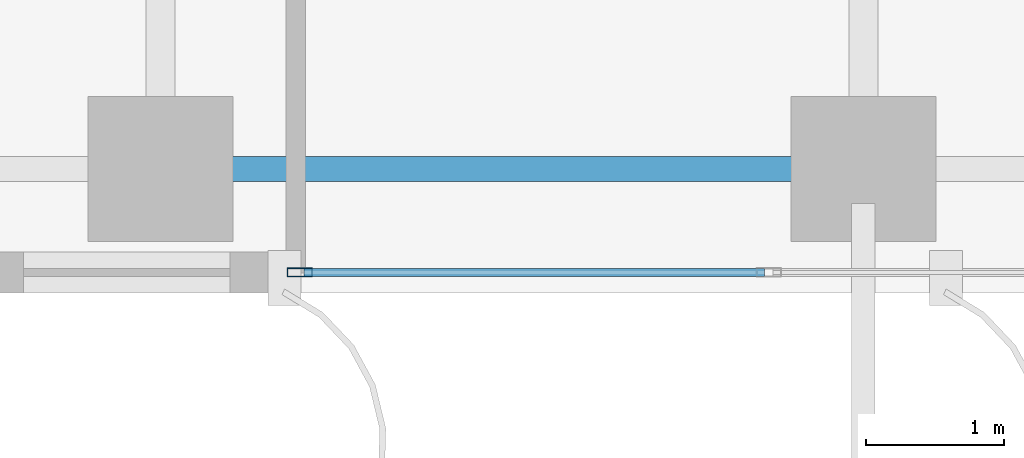
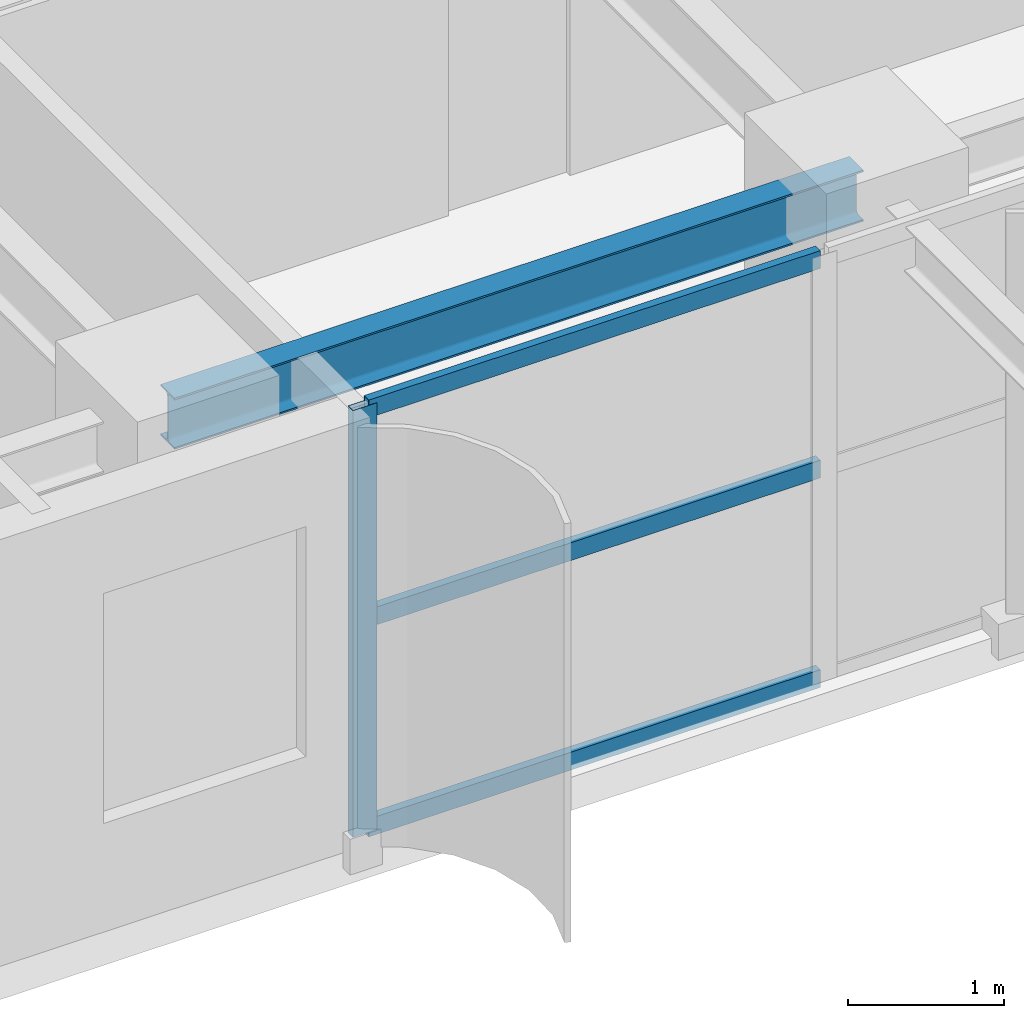
# One storey, part 2 of 27: 4 members, 1 beam, 1 element without a shape of its own.
"""IFC4 building model written with IfcOpenShell, lengths in metres."""

import ifcopenshell
import ifcopenshell.guid

model = None  # the IFC model being written
_history = None  # IfcOwnerHistory: only IFC2X3 demands one
_inside = {}  # id of a spatial element -> (the spatial element, [elements in it])
_under = {}  # id of a project, library or spatial element -> (it, [spatial elements below it])
_declared = {}  # id of a project -> (the project, [libraries it declares])
_typed = {}  # id of a type object -> (the type object, [elements of that type])
_made_of = {}  # id of a material, layer set ... -> (it, [elements and type objects made of it])


def new_model(schema):
    """Start an empty IFC model of exactly this schema.

    Asked for "IFC4X3", IfcOpenShell would pick the latest addendum, in which some entities
    have other attributes; the version numbers below select the first issue.
    IFC2X3 requires an IfcOwnerHistory on every rooted entity: one is made here for all.
    """
    global model, _history
    if schema == "IFC4X3":
        model = ifcopenshell.file(schema_version=(4, 3, 0, 0))
    else:
        model = ifcopenshell.file(schema=schema)
    _inside.clear()
    _under.clear()
    _declared.clear()
    _typed.clear()
    _made_of.clear()
    _history = None
    if model.schema == "IFC2X3":
        org = make("IfcOrganization", Name="unknown")
        user = make(
            "IfcPersonAndOrganization",
            ThePerson=make("IfcPerson", FamilyName="unknown"),
            TheOrganization=org,
        )
        app = make(
            "IfcApplication",
            ApplicationDeveloper=org,
            Version="unknown",
            ApplicationFullName="unknown",
            ApplicationIdentifier="unknown",
        )
        _history = make(
            "IfcOwnerHistory",
            OwningUser=user,
            OwningApplication=app,
            ChangeAction="ADDED",
            CreationDate=0,
        )
    return model


def make(cls, **values):
    """One entity of the class cls with the attributes given. An attribute that is None is left unset."""
    return model.create_entity(
        cls, **{name: value for name, value in values.items() if value is not None}
    )


def rooted(cls, **values):
    """An entity with a GlobalId (a new one), such as an element, a storey or a relation."""
    return make(cls, GlobalId=ifcopenshell.guid.new(), OwnerHistory=_history, **values)


def si_unit(unit_type, name, prefix=None):
    """IfcSIUnit, for example si_unit("LENGTHUNIT", "METRE", prefix="MILLI")."""
    return make("IfcSIUnit", UnitType=unit_type, Prefix=prefix, Name=name)


def assignment(units):
    """IfcUnitAssignment: the units of a project."""
    return None if units is None else make("IfcUnitAssignment", Units=units)


def point(xyz):
    """IfcCartesianPoint."""
    return None if xyz is None else make("IfcCartesianPoint", Coordinates=xyz)


def direction(xyz):
    """IfcDirection."""
    return None if xyz is None else make("IfcDirection", DirectionRatios=xyz)


def frame(location, z_axis=None, x_axis=None):
    """IfcAxis2Placement3D, a coordinate frame: its origin and axes. An axis left out is left unset."""
    return make(
        "IfcAxis2Placement3D",
        Location=point(location),
        Axis=direction(z_axis),
        RefDirection=direction(x_axis),
    )


def frame_2d(location, x_axis=None):
    """IfcAxis2Placement2D, a coordinate frame in the plane: its origin and x axis."""
    return make(
        "IfcAxis2Placement2D", Location=point(location), RefDirection=direction(x_axis)
    )


def origin():
    """The frame at (0, 0, 0) with its axes left unset."""
    return frame((0.0, 0.0, 0.0))


def origin_2d():
    """The frame at (0, 0) in the plane with its x axis left unset."""
    return frame_2d((0.0, 0.0))


def place(relative_to, where):
    """IfcLocalPlacement: puts the frame where relative to a parent placement (None: the world)."""
    return make(
        "IfcLocalPlacement", PlacementRelTo=relative_to, RelativePlacement=where
    )


def context(
    kind, dimensions, precision=None, world=None, true_north=None, identifier=None
):
    """IfcGeometricRepresentationContext, for example the 3D "Model" context."""
    return make(
        "IfcGeometricRepresentationContext",
        ContextIdentifier=identifier,
        ContextType=kind,
        CoordinateSpaceDimension=dimensions,
        Precision=precision,
        WorldCoordinateSystem=world,
        TrueNorth=true_north,
    )


def subcontext(parent, identifier, kind, view, scale=None):
    """IfcGeometricRepresentationSubContext, for example "Body" below "Model"."""
    return make(
        "IfcGeometricRepresentationSubContext",
        ContextIdentifier=identifier,
        ContextType=kind,
        ParentContext=parent,
        TargetScale=scale,
        TargetView=view,
    )


def project(units=None, contexts=None):
    """IfcProject with its units and contexts."""
    return rooted(
        "IfcProject",
        Name="project",
        RepresentationContexts=contexts,
        UnitsInContext=assignment(units),
    )


def spatial(cls, under=None, at=None, **own):
    """A site, building, storey or space (cls), placed at a placement, below another one or the project."""
    s = rooted(cls, ObjectPlacement=at, **own)
    if under is not None:
        _under.setdefault(under.id(), (under, []))[1].append(s)
    return s


def profile(cls, at=None, kind="AREA", **sizes):
    """A parametric profile (cls). Its sizes go by their IFC names, for example OverallWidth=200.0."""
    return make(cls, ProfileType=kind, Position=at, **sizes)


def hollow_rectangle(**sizes):
    """IfcRectangleHollowProfileDef."""
    return profile("IfcRectangleHollowProfileDef", **sizes)


def i_section(**sizes):
    """IfcIShapeProfileDef."""
    return profile("IfcIShapeProfileDef", **sizes)


def extrude(swept, where, along, depth):
    """IfcExtrudedAreaSolid: the profile swept, set in the frame where, extruded along a direction by depth."""
    return make(
        "IfcExtrudedAreaSolid",
        SweptArea=swept,
        Position=where,
        ExtrudedDirection=direction(along),
        Depth=depth,
    )


def shape(context_of_items, identifier, shape_type, items):
    """IfcShapeRepresentation: the items that make up one representation, for example the "Body"."""
    return make(
        "IfcShapeRepresentation",
        ContextOfItems=context_of_items,
        RepresentationIdentifier=identifier,
        RepresentationType=shape_type,
        Items=items,
    )


def source(mapping_origin, context_of_items, identifier, shape_type, items):
    """IfcRepresentationMap: a shape defined once, which mapped items show again and again."""
    return make(
        "IfcRepresentationMap",
        MappingOrigin=mapping_origin,
        MappedRepresentation=shape(context_of_items, identifier, shape_type, items),
    )


def transform(
    local_origin,
    x_axis=None,
    y_axis=None,
    z_axis=None,
    scale=None,
    scale2=None,
    scale3=None,
    uniform=True,
):
    """IfcCartesianTransformationOperator3D, or its non-uniform kind. x_axis, y_axis, z_axis: its Axis1, 2, 3."""
    if uniform:
        return make(
            "IfcCartesianTransformationOperator3D",
            Axis1=direction(x_axis),
            Axis2=direction(y_axis),
            LocalOrigin=point(local_origin),
            Scale=scale,
            Axis3=direction(z_axis),
        )
    return make(
        "IfcCartesianTransformationOperator3DnonUniform",
        Axis1=direction(x_axis),
        Axis2=direction(y_axis),
        LocalOrigin=point(local_origin),
        Scale=scale,
        Axis3=direction(z_axis),
        Scale2=scale2,
        Scale3=scale3,
    )


def mapped(mapping_source, mapping_target):
    """IfcMappedItem: shows the shape of a source again, moved by a transform."""
    return make(
        "IfcMappedItem", MappingSource=mapping_source, MappingTarget=mapping_target
    )


def material(Name=None, Category=None):
    """IfcMaterial."""
    return make("IfcMaterial", Name=Name, Category=Category)


def layer(
    of_material, thickness, ventilated=None, Name=None, Category=None, Priority=None
):
    """IfcMaterialLayer: one layer of a wall or slab, of a material (None: an air gap)."""
    return make(
        "IfcMaterialLayer",
        Material=of_material,
        LayerThickness=thickness,
        IsVentilated=ventilated,
        Name=Name,
        Category=Category,
        Priority=Priority,
    )


def layer_set(layers, Name=None):
    """IfcMaterialLayerSet."""
    return make("IfcMaterialLayerSet", MaterialLayers=layers, LayerSetName=Name)


def material_profile(
    of_material, cross_section, Name=None, Category=None, Priority=None
):
    """IfcMaterialProfile: a cross section and its material."""
    return make(
        "IfcMaterialProfile",
        Name=Name,
        Material=of_material,
        Profile=cross_section,
        Priority=Priority,
        Category=Category,
    )


def profile_set(profiles, Name=None, composite=None):
    """IfcMaterialProfileSet."""
    return make(
        "IfcMaterialProfileSet",
        Name=Name,
        MaterialProfiles=profiles,
        CompositeProfile=composite,
    )


def made_of(thing, what):
    """Note that an element or type object is made of a material, layer set ...; save() writes the relation."""
    if what is not None:
        _made_of.setdefault(what.id(), (what, []))[1].append(thing)
    return thing


def type_object(cls, material=None, **own):
    """A type object (cls), such as IfcWallType, which elements share."""
    return made_of(rooted(cls, **own), material)


def element(
    cls,
    number,
    at=None,
    inside=None,
    cuts=None,
    type_object=None,
    material=None,
    context=None,
    identifier="Body",
    shape_type=None,
    held_by="IfcProductDefinitionShape",
    body=None,
    shapes=None,
    **own,
):
    """One element of the class cls, such as IfcWall. Its Tag is "e" and its number.

    at: its placement. inside: the storey or other place that contains it. cuts: it is an
    opening in that element (IfcRelVoidsElement). A single representation is given by context,
    identifier, shape_type and body (its items); several are given by shapes. held_by: the class
    of the entity that holds the representations. save() writes the other relations.
    """
    e = rooted(cls, Tag="e%d" % number, ObjectPlacement=at, **own)
    if body is not None:
        shapes = [shape(context, identifier, shape_type, body)]
    if shapes is not None:
        e.Representation = make(held_by, Representations=shapes)
    if inside is not None:
        _inside.setdefault(inside.id(), (inside, []))[1].append(e)
    if cuts is not None:
        rooted(
            "IfcRelVoidsElement", RelatingBuildingElement=cuts, RelatedOpeningElement=e
        )
    if type_object is not None:
        _typed.setdefault(type_object.id(), (type_object, []))[1].append(e)
    return made_of(e, material)


def aggregate(whole, parts):
    """IfcRelAggregates: a whole, such as a stair, and the parts it consists of."""
    return rooted("IfcRelAggregates", RelatingObject=whole, RelatedObjects=parts)


def save(model, path):
    """Write the relations noted so far, then the file.

    IfcRelAggregates (storeys below a building ...), IfcRelContainedInSpatialStructure (elements
    in a storey), IfcRelDefinesByType, IfcRelAssociatesMaterial and IfcRelDeclares: one each for
    every whole, place, type object, material and project.
    """
    for whole, parts in _under.values():
        aggregate(whole, parts)
    for where, things in _inside.values():
        rooted(
            "IfcRelContainedInSpatialStructure",
            RelatedElements=things,
            RelatingStructure=where,
        )
    for kind, things in _typed.values():
        rooted("IfcRelDefinesByType", RelatedObjects=things, RelatingType=kind)
    for what, things in _made_of.values():
        rooted("IfcRelAssociatesMaterial", RelatedObjects=things, RelatingMaterial=what)
    for by, libraries in _declared.values():
        rooted("IfcRelDeclares", RelatingContext=by, RelatedDefinitions=libraries)
    model.write(path)


model = new_model("IFC4")

# Units and contexts
model_context = context("Model", 3, precision=1e-05, world=origin(), true_north=direction((0.0, 1.0)))
body_context = subcontext(model_context, "Body", "Model", "MODEL_VIEW")
ifc_project = project(units=[si_unit("LENGTHUNIT", "METRE"), si_unit("AREAUNIT", "SQUARE_METRE"), si_unit("VOLUMEUNIT", "CUBIC_METRE"), si_unit("PLANEANGLEUNIT", "RADIAN"), si_unit("MASSUNIT", "GRAM", prefix="KILO")], contexts=[model_context])

# Site, building, storey
site_placement = place(None, origin())
site = spatial("IfcSite", under=ifc_project, at=site_placement, CompositionType="ELEMENT")
building_placement = place(site_placement, origin())
building = spatial("IfcBuilding", under=site, at=building_placement, Name="Khoralis Quay Care Tower", CompositionType="ELEMENT")
storey_placement = place(building_placement, frame((0.0, 0.0, 105.300048828125)))
storey = spatial("IfcBuildingStorey", under=building, at=storey_placement, Name="L27", CompositionType="ELEMENT", Elevation=105.300048828125)

# Beam
ifc_material_1 = material(Name="Steel S355", Category="steel")
ifc_material_profile_1 = material_profile(ifc_material_1, i_section(OverallWidth=0.179931640625, OverallDepth=0.39990234375, WebThickness=0.008544921875, FlangeThickness=0.013427734375, FilletRadius=0.02099609375, at=origin_2d()), Name="Steel S355")
ifc_profile_set_1 = profile_set([ifc_material_profile_1], Name="Steel S355")
beam_type = type_object("IfcBeamType", Name="BM-IPE400", PredefinedType="SPANDREL", material=ifc_profile_set_1)
shared_shape_1 = source(origin(), body_context, "Body", "SweptSolid", [
    extrude(i_section(OverallWidth=0.179931640625, OverallDepth=0.39990234375, WebThickness=0.008544921875, FlangeThickness=0.013427734375, FilletRadius=0.02099609375, at=origin_2d()), origin(), (0.0, 0.0, 1.0), 5.10009765625),
])
beam_placement = place(storey_placement, frame((12.0, 0.89990234375, 3.139892578125), z_axis=(1.0, 0.0, 0.0), x_axis=(0.0, 1.0, 0.0)))
element("IfcBeam", 1, at=beam_placement, inside=storey, type_object=beam_type, Name="BM-TSP-L27-02", PredefinedType="SPANDREL", context=body_context, shape_type="MappedRepresentation", body=[
    mapped(shared_shape_1, transform((0.0, 0.0, 0.0), scale=1.0)),
])

# Curtain wall, members
ifc_material_2 = material(Name="Pale anodised aluminium", Category="aluminium")
ifc_layer = layer(ifc_material_2, 0.169921875)
ifc_layer_set = layer_set([ifc_layer], Name="Pale anodised aluminium")
curtain_wall_type = type_object("IfcCurtainWallType", Name="CW-SYS-Z2", PredefinedType="NOTDEFINED", material=ifc_layer_set)
curtain_wall_placement = place(storey_placement, origin())
curtain_wall = element("IfcCurtainWall", 2, at=curtain_wall_placement, inside=storey, type_object=curtain_wall_type, Name="L27 Unitised Curtain Wall CW-L27-P1-E0", PredefinedType="NOTDEFINED")
ifc_material_profile_2 = material_profile(ifc_material_2, hollow_rectangle(XDim=0.06494140625, YDim=0.179931640625, WallThickness=0.00390625, at=origin_2d()), Name="Pale anodised aluminium")
ifc_profile_set_2 = profile_set([ifc_material_profile_2], Name="Pale anodised aluminium")
member_type_1 = type_object("IfcMemberType", Name="CW-MUL-180", PredefinedType="MULLION", material=ifc_profile_set_2)
shared_shape_2 = source(origin(), body_context, "Body", "SweptSolid", [
    extrude(hollow_rectangle(XDim=0.06494140625, YDim=0.179931640625, WallThickness=0.00390625, at=origin_2d()), origin(), (0.0, 0.0, 1.0), 3.33984375),
])
member_1_placement = place(storey_placement, frame((13.010009765625, 0.14990234375, 0.0), z_axis=(0.0, 0.0, 1.0), x_axis=(0.0, 1.0, 0.0)))
member_1 = element("IfcMember", 3, at=member_1_placement, type_object=member_type_1, Name="CW2 mullion 1", PredefinedType="MULLION", context=body_context, shape_type="MappedRepresentation", body=[
    mapped(shared_shape_2, transform((0.0, 0.0, 0.0), scale=1.0)),
])
ifc_material_profile_3 = material_profile(ifc_material_2, hollow_rectangle(XDim=0.06005859375, YDim=0.139892578125, WallThickness=0.00390625, at=origin_2d()), Name="Pale anodised aluminium")
ifc_profile_set_3 = profile_set([ifc_material_profile_3], Name="Pale anodised aluminium")
member_type_2 = type_object("IfcMemberType", Name="CW-TRN-140", PredefinedType="USERDEFINED", material=ifc_profile_set_3)
shared_shape_3 = source(origin(), body_context, "Body", "SweptSolid", [
    extrude(hollow_rectangle(XDim=0.06005859375, YDim=0.139892578125, WallThickness=0.00390625, at=origin_2d()), origin(), (0.0, 0.0, 1.0), 3.343994140625),
])
member_2_placement = place(storey_placement, frame((13.0400390625, 0.14990234375, 0.030029296875), z_axis=(1.0, 0.0, 0.0), x_axis=(0.0, 1.0, 0.0)))
member_2 = element("IfcMember", 4, at=member_2_placement, type_object=member_type_2, Name="CW2 transom 1.1", ObjectType="TRANSOM", PredefinedType="USERDEFINED", context=body_context, shape_type="MappedRepresentation", body=[
    mapped(shared_shape_3, transform((0.0, 0.0, 0.0), scale=1.0)),
])
member_3_placement = place(storey_placement, frame((13.0400390625, 0.14990234375, 1.669921875), z_axis=(1.0, 0.0, 0.0), x_axis=(0.0, 1.0, 0.0)))
member_3 = element("IfcMember", 5, at=member_3_placement, type_object=member_type_2, Name="CW2 transom 1.2", ObjectType="TRANSOM", PredefinedType="USERDEFINED", context=body_context, shape_type="MappedRepresentation", body=[
    mapped(shared_shape_3, transform((0.0, 0.0, 0.0), scale=1.0)),
])
member_4_placement = place(storey_placement, frame((13.0400390625, 0.14990234375, 3.31005859375), z_axis=(1.0, 0.0, 0.0), x_axis=(0.0, 1.0, 0.0)))
member_4 = element("IfcMember", 6, at=member_4_placement, type_object=member_type_2, Name="CW2 transom 1.3", ObjectType="TRANSOM", PredefinedType="USERDEFINED", context=body_context, shape_type="MappedRepresentation", body=[
    mapped(shared_shape_3, transform((0.0, 0.0, 0.0), scale=1.0)),
])
aggregate(curtain_wall, [member_1, member_2, member_3, member_4])

save(model, "model.ifc")
